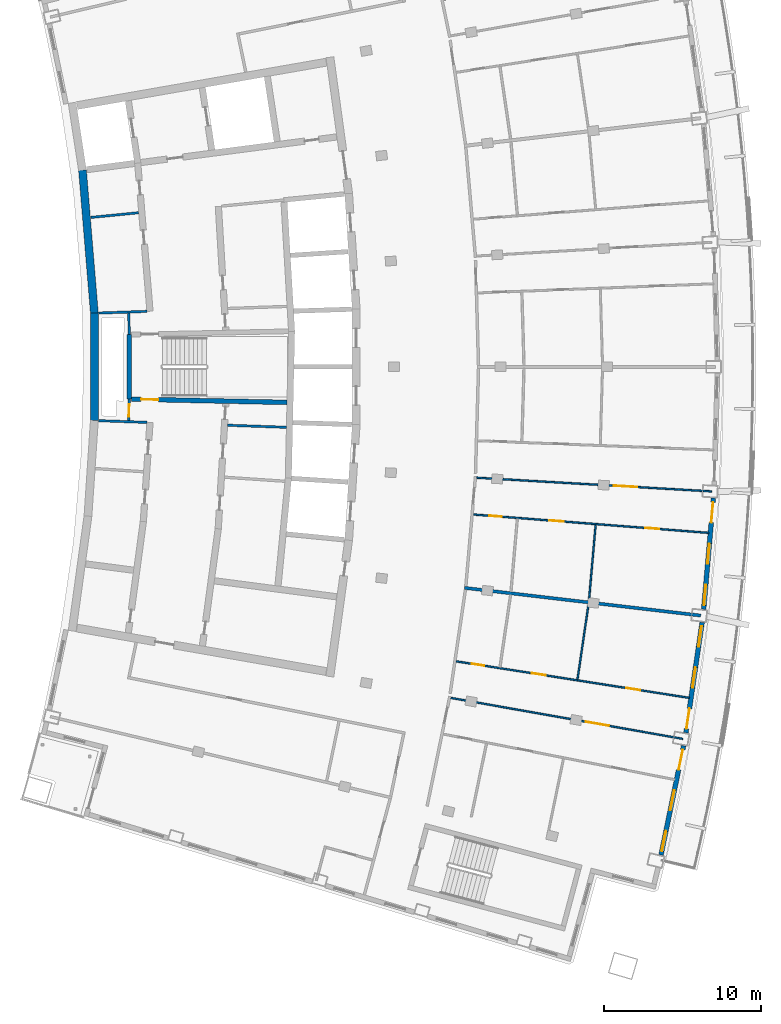
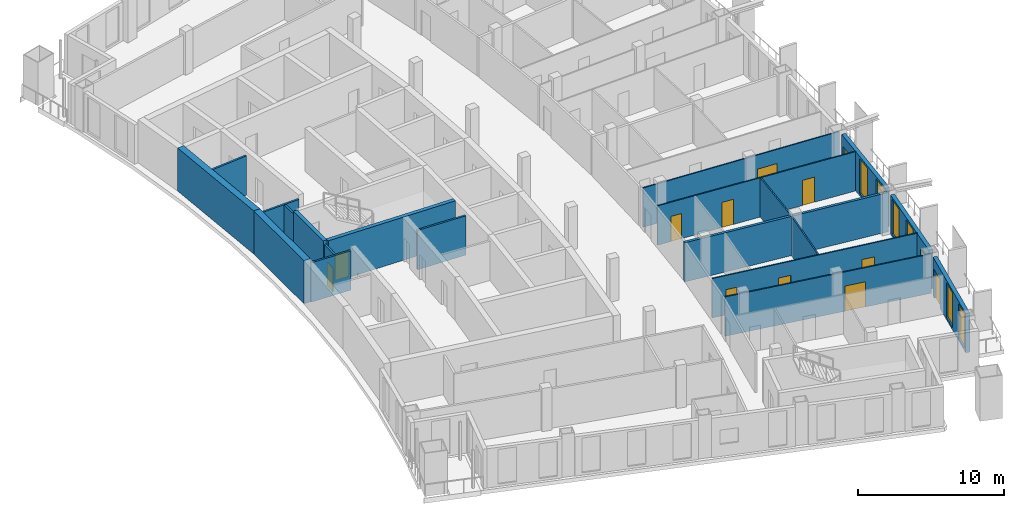
# One storey, part 9 of 17: 20 walls, 13 doors, 6 windows, 19 openings.
"""IFC4 building model written with IfcOpenShell, lengths in metres."""

from ifc_helpers import new_model, si_unit, direction, frame, frame_2d, origin, place, context, subcontext, project, spatial, rectangle, extrude, material, layer, layer_set, type_object, element, fill, save


model = new_model("IFC4")

# Units and contexts
model_context = context("Model", 3, precision=1e-05, world=origin(), true_north=direction((0.0, 1.0)))
body_context = subcontext(model_context, "Body", "Model", "MODEL_VIEW")
ifc_project = project(units=[si_unit("LENGTHUNIT", "METRE"), si_unit("AREAUNIT", "SQUARE_METRE"), si_unit("VOLUMEUNIT", "CUBIC_METRE"), si_unit("PLANEANGLEUNIT", "RADIAN"), si_unit("MASSUNIT", "GRAM", prefix="KILO")], contexts=[model_context])

# Site, building, storey
site_placement = place(None, origin())
site = spatial("IfcSite", under=ifc_project, at=site_placement, CompositionType="ELEMENT")
building_placement = place(site_placement, origin())
building = spatial("IfcBuilding", under=site, at=building_placement, Name="Alderwake Tower", CompositionType="ELEMENT")
storey_placement = place(building_placement, frame((0.0, 0.0, 270.800048828125)))
storey = spatial("IfcBuildingStorey", under=building, at=storey_placement, Name="L67", CompositionType="ELEMENT", Elevation=270.800048828125)

# Wall
ifc_material_1 = material(Name="Gypsum shaft wall system, rated")
ifc_layer_1 = layer(ifc_material_1, 0.14990234375)
ifc_layer_set_1 = layer_set([ifc_layer_1], Name="Core riser partition 150")
wall_type_1 = type_object("IfcWallType", Name="Core riser partition 150", PredefinedType="PARTITIONING", material=ifc_layer_set_1)
wall_1_placement = place(storey_placement, frame((25.1904296875, 57.276611328125, 0.0), z_axis=(0.0, 0.0, 1.0), x_axis=(0.99937350076, -0.035392173974, 0.0)))
element("IfcWall", 1, at=wall_1_placement, inside=storey, type_object=wall_type_1, Name="CW/L67/PR-37_+86", PredefinedType="PARTITIONING", context=body_context, shape_type="SweptSolid", body=[
    extrude(rectangle(XDim=3.752685546875, YDim=0.14990234375, at=frame_2d((1.87646484375, 0.0))), origin(), (0.0, 0.0, 1.0), 3.280029296875),
])

# Wall, opening, door
ifc_material_2 = material(Name="Gypsum shaft wall system, rated")
ifc_layer_2 = layer(ifc_material_2, 0.14990234375)
ifc_layer_set_2 = layer_set([ifc_layer_2], Name="Core room partition 150")
wall_type_2 = type_object("IfcWallType", Name="Core room partition 150", PredefinedType="PARTITIONING", material=ifc_layer_set_2)
wall_2_placement = place(storey_placement, frame((18.918701171875, 58.94384765625, 0.0), z_axis=(0.0, 0.0, 1.0), x_axis=(-0.027811602725, -0.999613182563, 0.0)))
wall_2 = element("IfcWall", 2, at=wall_2_placement, inside=storey, type_object=wall_type_2, Name="CW/L67/PA+24_-37", PredefinedType="PARTITIONING", context=body_context, shape_type="SweptSolid", body=[
    extrude(rectangle(XDim=1.369384765625, YDim=0.14990234375, at=frame_2d((0.6845703125, 0.0))), origin(), (0.0, 0.0, 1.0), 3.280029296875),
])
opening_1_placement = place(wall_2_placement, frame((0.322998046875, 0.0, 0.0)))
opening_1 = element("IfcOpeningElement", 3, at=opening_1_placement, cuts=wall_2, Name="Opening C004", PredefinedType="OPENING", context=body_context, shape_type="SweptSolid", body=[
    extrude(rectangle(XDim=0.800048828125, YDim=2.0, at=frame_2d((0.39990234375, 1.0))), frame((0.0, 0.0849609375, 0.0), z_axis=(0.0, -1.0, 0.0), x_axis=(1.0, 0.0, 0.0)), (0.0, 0.0, 1.0), 0.169921875),
])
ifc_material_3 = material(Name="Painted steel leaf, rated", Category="steel")
door_type_1 = type_object("IfcDoorType", Name="Riser access door 800", OperationType="SINGLE_SWING_LEFT", PredefinedType="DOOR", material=ifc_material_3)
door_1_placement = place(opening_1_placement, origin())
door_1 = element("IfcDoor", 4, at=door_1_placement, inside=storey, type_object=door_type_1, Name="Riser access door", OperationType="SINGLE_SWING_RIGHT", OverallHeight=2.0, OverallWidth=0.800048828125, PredefinedType="DOOR", context=body_context, shape_type="SweptSolid", body=[
    extrude(rectangle(XDim=0.800048828125, YDim=2.0, at=frame_2d((0.39990234375, 1.0))), frame((0.0, 0.02490234375, 0.0), z_axis=(0.0, -1.0, 0.0), x_axis=(1.0, 0.0, 0.0)), (0.0, 0.0, 1.0), 0.050048828125),
])
fill(opening_1, door_1)

# Walls
wall_3_placement = place(storey_placement, frame((18.918701171875, 63.05517578125, 0.0), z_axis=(0.0, 0.0, 1.0), x_axis=(-0.027791791559, 0.99961373356, 0.0)))
element("IfcWall", 5, at=wall_3_placement, inside=storey, type_object=wall_type_2, Name="CW/L67/PA+24_+22", PredefinedType="PARTITIONING", context=body_context, shape_type="SweptSolid", body=[
    extrude(rectangle(XDim=1.370361328125, YDim=0.14990234375, at=frame_2d((0.68505859375, 0.0))), origin(), (0.0, 0.0, 1.0), 3.280029296875),
])
for number, where, z_axis, x_axis, name in (
    (6, (16.969482421875, 57.5673828125, 0.0), (0.0, 0.0, 1.0), (0.999376258731, -0.035314210814, 0.0), "CW/L67/PR-37_+0"),
    (7, (16.969482421875, 64.4326171875, 0.0), (0.0, 0.0, 1.0), (0.999376258731, 0.035314210814, 0.0), "CW/L67/PR+37_+0"),
):
    element("IfcWall", number, at=place(storey_placement, frame(where, z_axis=z_axis, x_axis=x_axis)), inside=storey, type_object=wall_type_2, Name=name, PredefinedType="PARTITIONING", context=body_context, shape_type="SweptSolid", body=[
        extrude(rectangle(XDim=3.069580078125, YDim=0.14990234375, at=frame_2d((1.53466796875, 0.0))), origin(), (0.0, 0.0, 1.0), 3.280029296875),
    ])
wall_4_placement = place(storey_placement, frame((16.4638671875, 70.5322265625, 0.0), z_axis=(0.0, 0.0, 1.0), x_axis=(0.995153954228, 0.098329077004, 0.0)))
element("IfcWall", 8, at=wall_4_placement, inside=storey, type_object=wall_type_2, Name="CW/L67/PR+103_+0", PredefinedType="PARTITIONING", context=body_context, shape_type="SweptSolid", body=[
    extrude(rectangle(XDim=3.06640625, YDim=0.14990234375, at=frame_2d((1.533203125, 0.0))), origin(), (0.0, 0.0, 1.0), 3.280029296875),
])
ifc_material_4 = material(Name="Concrete C70/85", Category="concrete")
ifc_layer_3 = layer(ifc_material_4, 0.5)
ifc_layer_set_3 = layer_set([ifc_layer_3], Name="Core wall outer 500 C70-85")
wall_type_3 = type_object("IfcWallType", Name="Core wall outer 500 C70-85", PredefinedType="SHEAR", material=ifc_layer_set_3)
wall_5_placement = place(storey_placement, frame((16.689453125, 57.568603515625, 0.0), z_axis=(0.0, 0.0, 1.0), x_axis=(0.0, 1.0, 0.0)))
element("IfcWall", 9, at=wall_5_placement, inside=storey, type_object=wall_type_3, Name="Core wall CW.029", PredefinedType="SHEAR", context=body_context, shape_type="SweptSolid", body=[
    extrude(rectangle(XDim=6.86474609375, YDim=0.5, at=frame_2d((3.432373046875, 0.0))), origin(), (0.0, 0.0, 1.0), 3.599853515625),
])
wall_6_placement = place(storey_placement, frame((16.690185546875, 64.41162109375, 0.0), z_axis=(0.0, 0.0, 1.0), x_axis=(-0.082611702064, 0.996581811334, 0.0)))
element("IfcWall", 10, at=wall_6_placement, inside=storey, type_object=wall_type_3, Name="Core wall CW.026", PredefinedType="SHEAR", context=body_context, shape_type="SweptSolid", body=[
    extrude(rectangle(XDim=9.176025390625, YDim=0.5, at=frame_2d((4.587890625, 0.0))), origin(), (0.0, 0.0, 1.0), 3.599853515625),
])
ifc_material_5 = material(Name="Concrete C70/85", Category="concrete")
ifc_layer_4 = layer(ifc_material_5, 0.300048828125)
ifc_layer_set_4 = layer_set([ifc_layer_4], Name="Core wall stair enclosure 300 C70-85")
wall_type_4 = type_object("IfcWallType", Name="Core wall stair enclosure 300 C70-85", PredefinedType="SHEAR", material=ifc_layer_set_4)
wall_7_placement = place(storey_placement, frame((18.918701171875, 58.940673828125, 0.0), z_axis=(0.0, 0.0, 1.0), x_axis=(0.0, 1.0, 0.0)))
element("IfcWall", 11, at=wall_7_placement, inside=storey, type_object=wall_type_4, Name="Core wall CW.024", PredefinedType="SHEAR", context=body_context, shape_type="SweptSolid", body=[
    extrude(rectangle(XDim=4.11962890625, YDim=0.300048828125, at=frame_2d((2.059814453125, 0.0))), origin(), (0.0, 0.0, 1.0), 3.599853515625),
])

# Wall, opening, door
wall_8_placement = place(storey_placement, frame((28.975830078125, 58.733154296875, 0.0), z_axis=(0.0, 0.0, 1.0), x_axis=(-0.999783782948, 0.020793925895, 0.0)))
wall_8 = element("IfcWall", 12, at=wall_8_placement, inside=storey, type_object=wall_type_4, Name="Core wall CW.074", PredefinedType="SHEAR", context=body_context, shape_type="SweptSolid", body=[
    extrude(rectangle(XDim=9.909423828125, YDim=0.300048828125, at=frame_2d((4.95458984375, 0.0))), origin(), (0.0, 0.0, 1.0), 3.599853515625),
])
opening_2_placement = place(wall_8_placement, frame((8.20947265625, 0.0, 0.0)))
opening_2 = element("IfcOpeningElement", 13, at=opening_2_placement, cuts=wall_8, Name="Opening C063", PredefinedType="OPENING", context=body_context, shape_type="SweptSolid", body=[
    extrude(rectangle(XDim=1.10009765625, YDim=2.10009765625, at=frame_2d((0.550048828125, 1.050048828125))), frame((0.0, 0.159912109375, 0.0), z_axis=(0.0, -1.0, 0.0), x_axis=(1.0, 0.0, 0.0)), (0.0, 0.0, 1.0), 0.320068359375),
])
ifc_material_6 = material(Name="Steel-framed fire door leaf", Category="steel")
door_type_2 = type_object("IfcDoorType", Name="Core stair door 1100 fire-rated", OperationType="SINGLE_SWING_LEFT", PredefinedType="DOOR", material=ifc_material_6)
door_2_placement = place(opening_2_placement, origin())
door_2 = element("IfcDoor", 14, at=door_2_placement, inside=storey, type_object=door_type_2, Name="Stair door", OperationType="SINGLE_SWING_LEFT", OverallHeight=2.10009765625, OverallWidth=1.10009765625, PredefinedType="DOOR", context=body_context, shape_type="SweptSolid", body=[
    extrude(rectangle(XDim=1.10009765625, YDim=2.10009765625, at=frame_2d((0.550048828125, 1.050048828125))), frame((0.0, 0.02490234375, 0.0), z_axis=(0.0, -1.0, 0.0), x_axis=(1.0, 0.0, 0.0)), (0.0, 0.0, 1.0), 0.050048828125),
])
fill(opening_2, door_2)

# Wall, openings, door, windows
ifc_material_7 = material(Name="Precast concrete C50/60 spandrel panel", Category="concrete")
ifc_layer_5 = layer(ifc_material_7, 0.300048828125)
ifc_layer_set_5 = layer_set([ifc_layer_5], Name="External wall EW1 Precast concrete C50/60 spandrel")
wall_type_5 = type_object("IfcWallType", Name="External wall EW1 Precast concrete C50/60 spandrel", PredefinedType="SOLIDWALL", material=ifc_layer_set_5)
wall_9_placement = place(storey_placement, frame((52.837890625, 29.86279296875, 0.0), z_axis=(0.0, 0.0, 1.0), x_axis=(0.202756509143, 0.979229185635, 0.0)))
wall_9 = element("IfcWall", 15, at=wall_9_placement, inside=storey, type_object=wall_type_5, Name="External wall 12", PredefinedType="SOLIDWALL", context=body_context, shape_type="SweptSolid", body=[
    extrude(rectangle(XDim=7.114990234375, YDim=0.300048828125, at=frame_2d((3.5576171875, 0.0))), origin(), (0.0, 0.0, 1.0), 3.280029296875),
])
opening_3_placement = place(wall_9_placement, frame((0.259521484375, 0.0, 0.199951171875)))
opening_3 = element("IfcOpeningElement", 16, at=opening_3_placement, cuts=wall_9, Name="Opening W1", PredefinedType="OPENING", context=body_context, shape_type="SweptSolid", body=[
    extrude(rectangle(XDim=1.300048828125, YDim=2.89990234375, at=frame_2d((0.64990234375, 1.449951171875))), frame((0.0, 0.159912109375, 0.0), z_axis=(0.0, -1.0, 0.0), x_axis=(1.0, 0.0, 0.0)), (0.0, 0.0, 1.0), 0.320068359375),
])
opening_4_placement = place(wall_9_placement, frame((2.907470703125, 0.0, 0.199951171875)))
opening_4 = element("IfcOpeningElement", 17, at=opening_4_placement, cuts=wall_9, Name="Opening W1", PredefinedType="OPENING", context=body_context, shape_type="SweptSolid", body=[
    extrude(rectangle(XDim=1.300048828125, YDim=2.89990234375, at=frame_2d((0.64990234375, 1.449951171875))), frame((0.0, 0.159912109375, 0.0), z_axis=(0.0, -1.0, 0.0), x_axis=(1.0, 0.0, 0.0)), (0.0, 0.0, 1.0), 0.320068359375),
])
opening_5_placement = place(wall_9_placement, frame((5.555419921875, 0.0, 0.0)))
opening_5 = element("IfcOpeningElement", 18, at=opening_5_placement, cuts=wall_9, Name="Opening D02", PredefinedType="OPENING", context=body_context, shape_type="SweptSolid", body=[
    extrude(rectangle(XDim=1.300048828125, YDim=2.39990234375, at=frame_2d((0.64990234375, 1.199951171875))), frame((0.0, 0.159912109375, 0.0), z_axis=(0.0, -1.0, 0.0), x_axis=(1.0, 0.0, 0.0)), (0.0, 0.0, 1.0), 0.320068359375),
])
ifc_material_8 = material(Name="Bronze tinted glass in aluminium frame", Category="aluminium")
door_type_3 = type_object("IfcDoorType", Name="Balcony door BD sliding", OperationType="SLIDING_TO_LEFT", PredefinedType="DOOR", material=ifc_material_8)
door_3_placement = place(opening_5_placement, origin())
door_3 = element("IfcDoor", 19, at=door_3_placement, inside=storey, type_object=door_type_3, Name="Door D02", OperationType="SLIDING_TO_LEFT", OverallHeight=2.39990234375, OverallWidth=1.300048828125, PredefinedType="DOOR", context=body_context, shape_type="SweptSolid", body=[
    extrude(rectangle(XDim=1.300048828125, YDim=2.39990234375, at=frame_2d((0.64990234375, 1.199951171875))), frame((0.0, 0.02490234375, 0.0), z_axis=(0.0, -1.0, 0.0), x_axis=(1.0, 0.0, 0.0)), (0.0, 0.0, 1.0), 0.050048828125),
])
fill(opening_5, door_3)
ifc_material_9 = material(Name="Bronze tinted glass in aluminium frame", Category="aluminium")
window_type = type_object("IfcWindowType", Name="Window W1 tall fixed and vent", PartitioningType="DOUBLE_PANEL_VERTICAL", PredefinedType="WINDOW", material=ifc_material_9)
window_1_placement = place(opening_3_placement, origin())
window_1 = element("IfcWindow", 20, at=window_1_placement, inside=storey, type_object=window_type, Name="Window W1 tall fixed and vent", OverallHeight=2.89990234375, OverallWidth=1.300048828125, PartitioningType="DOUBLE_PANEL_VERTICAL", PredefinedType="WINDOW", context=body_context, shape_type="SweptSolid", body=[
    extrude(rectangle(XDim=1.300048828125, YDim=2.89990234375, at=frame_2d((0.64990234375, 1.449951171875))), frame((0.0, 0.030029296875, 0.0), z_axis=(0.0, -1.0, 0.0), x_axis=(1.0, 0.0, 0.0)), (0.0, 0.0, 1.0), 0.06005859375),
])
fill(opening_3, window_1)
window_2_placement = place(opening_4_placement, origin())
window_2 = element("IfcWindow", 21, at=window_2_placement, inside=storey, type_object=window_type, Name="Window W1 tall fixed and vent", OverallHeight=2.89990234375, OverallWidth=1.300048828125, PartitioningType="DOUBLE_PANEL_VERTICAL", PredefinedType="WINDOW", context=body_context, shape_type="SweptSolid", body=[
    extrude(rectangle(XDim=1.300048828125, YDim=2.89990234375, at=frame_2d((0.64990234375, 1.449951171875))), frame((0.0, 0.030029296875, 0.0), z_axis=(0.0, -1.0, 0.0), x_axis=(1.0, 0.0, 0.0)), (0.0, 0.0, 1.0), 0.06005859375),
])
fill(opening_4, window_2)

wall_10_placement = place(storey_placement, frame((54.42724609375, 37.66015625, 0.0), z_axis=(0.0, 0.0, 1.0), x_axis=(0.145316175734, 0.98938526827, 0.0)))
wall_10 = element("IfcWall", 22, at=wall_10_placement, inside=storey, type_object=wall_type_5, Name="External wall 13", PredefinedType="SOLIDWALL", context=body_context, shape_type="SweptSolid", body=[
    extrude(rectangle(XDim=7.114990234375, YDim=0.300048828125, at=frame_2d((3.5576171875, 0.0))), origin(), (0.0, 0.0, 1.0), 3.280029296875),
])
opening_6_placement = place(wall_10_placement, frame((0.259521484375, 0.0, 0.0)))
opening_6 = element("IfcOpeningElement", 23, at=opening_6_placement, cuts=wall_10, Name="Opening D03", PredefinedType="OPENING", context=body_context, shape_type="SweptSolid", body=[
    extrude(rectangle(XDim=1.300048828125, YDim=2.39990234375, at=frame_2d((0.64990234375, 1.199951171875))), frame((0.0, 0.159912109375, 0.0), z_axis=(0.0, -1.0, 0.0), x_axis=(1.0, 0.0, 0.0)), (0.0, 0.0, 1.0), 0.320068359375),
])
opening_7_placement = place(wall_10_placement, frame((2.907470703125, 0.0, 0.199951171875)))
opening_7 = element("IfcOpeningElement", 24, at=opening_7_placement, cuts=wall_10, Name="Opening W1", PredefinedType="OPENING", context=body_context, shape_type="SweptSolid", body=[
    extrude(rectangle(XDim=1.300048828125, YDim=2.89990234375, at=frame_2d((0.64990234375, 1.449951171875))), frame((0.0, 0.159912109375, 0.0), z_axis=(0.0, -1.0, 0.0), x_axis=(1.0, 0.0, 0.0)), (0.0, 0.0, 1.0), 0.320068359375),
])
opening_8_placement = place(wall_10_placement, frame((5.555419921875, 0.0, 0.199951171875)))
opening_8 = element("IfcOpeningElement", 25, at=opening_8_placement, cuts=wall_10, Name="Opening W1", PredefinedType="OPENING", context=body_context, shape_type="SweptSolid", body=[
    extrude(rectangle(XDim=1.300048828125, YDim=2.89990234375, at=frame_2d((0.64990234375, 1.449951171875))), frame((0.0, 0.159912109375, 0.0), z_axis=(0.0, -1.0, 0.0), x_axis=(1.0, 0.0, 0.0)), (0.0, 0.0, 1.0), 0.320068359375),
])
door_4_placement = place(opening_6_placement, origin())
door_4 = element("IfcDoor", 26, at=door_4_placement, inside=storey, type_object=door_type_3, Name="Door D03", OperationType="SLIDING_TO_LEFT", OverallHeight=2.39990234375, OverallWidth=1.300048828125, PredefinedType="DOOR", context=body_context, shape_type="SweptSolid", body=[
    extrude(rectangle(XDim=1.300048828125, YDim=2.39990234375, at=frame_2d((0.64990234375, 1.199951171875))), frame((0.0, 0.02490234375, 0.0), z_axis=(0.0, -1.0, 0.0), x_axis=(1.0, 0.0, 0.0)), (0.0, 0.0, 1.0), 0.050048828125),
])
fill(opening_6, door_4)
window_3_placement = place(opening_7_placement, origin())
window_3 = element("IfcWindow", 27, at=window_3_placement, inside=storey, type_object=window_type, Name="Window W1 tall fixed and vent", OverallHeight=2.89990234375, OverallWidth=1.300048828125, PartitioningType="DOUBLE_PANEL_VERTICAL", PredefinedType="WINDOW", context=body_context, shape_type="SweptSolid", body=[
    extrude(rectangle(XDim=1.300048828125, YDim=2.89990234375, at=frame_2d((0.64990234375, 1.449951171875))), frame((0.0, 0.030029296875, 0.0), z_axis=(0.0, -1.0, 0.0), x_axis=(1.0, 0.0, 0.0)), (0.0, 0.0, 1.0), 0.06005859375),
])
fill(opening_7, window_3)
window_4_placement = place(opening_8_placement, origin())
window_4 = element("IfcWindow", 28, at=window_4_placement, inside=storey, type_object=window_type, Name="Window W1 tall fixed and vent", OverallHeight=2.89990234375, OverallWidth=1.300048828125, PartitioningType="DOUBLE_PANEL_VERTICAL", PredefinedType="WINDOW", context=body_context, shape_type="SweptSolid", body=[
    extrude(rectangle(XDim=1.300048828125, YDim=2.89990234375, at=frame_2d((0.64990234375, 1.449951171875))), frame((0.0, 0.030029296875, 0.0), z_axis=(0.0, -1.0, 0.0), x_axis=(1.0, 0.0, 0.0)), (0.0, 0.0, 1.0), 0.06005859375),
])
fill(opening_8, window_4)

wall_11_placement = place(storey_placement, frame((55.559326171875, 45.537109375, 0.0), z_axis=(0.0, 0.0, 1.0), x_axis=(0.08736403326, 0.996176453091, 0.0)))
wall_11 = element("IfcWall", 29, at=wall_11_placement, inside=storey, type_object=wall_type_5, Name="External wall 14", PredefinedType="SOLIDWALL", context=body_context, shape_type="SweptSolid", body=[
    extrude(rectangle(XDim=7.11474609375, YDim=0.300048828125, at=frame_2d((3.557373046875, 0.0))), origin(), (0.0, 0.0, 1.0), 3.280029296875),
])
opening_9_placement = place(wall_11_placement, frame((0.259521484375, 0.0, 0.199951171875)))
opening_9 = element("IfcOpeningElement", 30, at=opening_9_placement, cuts=wall_11, Name="Opening W1", PredefinedType="OPENING", context=body_context, shape_type="SweptSolid", body=[
    extrude(rectangle(XDim=1.300048828125, YDim=2.89990234375, at=frame_2d((0.64990234375, 1.449951171875))), frame((0.0, 0.159912109375, 0.0), z_axis=(0.0, -1.0, 0.0), x_axis=(1.0, 0.0, 0.0)), (0.0, 0.0, 1.0), 0.320068359375),
])
opening_10_placement = place(wall_11_placement, frame((2.907470703125, 0.0, 0.199951171875)))
opening_10 = element("IfcOpeningElement", 31, at=opening_10_placement, cuts=wall_11, Name="Opening W1", PredefinedType="OPENING", context=body_context, shape_type="SweptSolid", body=[
    extrude(rectangle(XDim=1.300048828125, YDim=2.89990234375, at=frame_2d((0.64990234375, 1.449951171875))), frame((0.0, 0.159912109375, 0.0), z_axis=(0.0, -1.0, 0.0), x_axis=(1.0, 0.0, 0.0)), (0.0, 0.0, 1.0), 0.320068359375),
])
opening_11_placement = place(wall_11_placement, frame((5.555419921875, 0.0, 0.0)))
opening_11 = element("IfcOpeningElement", 32, at=opening_11_placement, cuts=wall_11, Name="Opening D04", PredefinedType="OPENING", context=body_context, shape_type="SweptSolid", body=[
    extrude(rectangle(XDim=1.300048828125, YDim=2.39990234375, at=frame_2d((0.64990234375, 1.199951171875))), frame((0.0, 0.159912109375, 0.0), z_axis=(0.0, -1.0, 0.0), x_axis=(1.0, 0.0, 0.0)), (0.0, 0.0, 1.0), 0.320068359375),
])
door_5_placement = place(opening_11_placement, origin())
door_5 = element("IfcDoor", 33, at=door_5_placement, inside=storey, type_object=door_type_3, Name="Door D04", OperationType="SLIDING_TO_LEFT", OverallHeight=2.39990234375, OverallWidth=1.300048828125, PredefinedType="DOOR", context=body_context, shape_type="SweptSolid", body=[
    extrude(rectangle(XDim=1.300048828125, YDim=2.39990234375, at=frame_2d((0.64990234375, 1.199951171875))), frame((0.0, 0.02490234375, 0.0), z_axis=(0.0, -1.0, 0.0), x_axis=(1.0, 0.0, 0.0)), (0.0, 0.0, 1.0), 0.050048828125),
])
fill(opening_11, door_5)
window_5_placement = place(opening_9_placement, origin())
window_5 = element("IfcWindow", 34, at=window_5_placement, inside=storey, type_object=window_type, Name="Window W1 tall fixed and vent", OverallHeight=2.89990234375, OverallWidth=1.300048828125, PartitioningType="DOUBLE_PANEL_VERTICAL", PredefinedType="WINDOW", context=body_context, shape_type="SweptSolid", body=[
    extrude(rectangle(XDim=1.300048828125, YDim=2.89990234375, at=frame_2d((0.64990234375, 1.449951171875))), frame((0.0, 0.030029296875, 0.0), z_axis=(0.0, -1.0, 0.0), x_axis=(1.0, 0.0, 0.0)), (0.0, 0.0, 1.0), 0.06005859375),
])
fill(opening_9, window_5)
window_6_placement = place(opening_10_placement, origin())
window_6 = element("IfcWindow", 35, at=window_6_placement, inside=storey, type_object=window_type, Name="Window W1 tall fixed and vent", OverallHeight=2.89990234375, OverallWidth=1.300048828125, PartitioningType="DOUBLE_PANEL_VERTICAL", PredefinedType="WINDOW", context=body_context, shape_type="SweptSolid", body=[
    extrude(rectangle(XDim=1.300048828125, YDim=2.89990234375, at=frame_2d((0.64990234375, 1.449951171875))), frame((0.0, 0.030029296875, 0.0), z_axis=(0.0, -1.0, 0.0), x_axis=(1.0, 0.0, 0.0)), (0.0, 0.0, 1.0), 0.06005859375),
])
fill(opening_10, window_6)

# Wall
ifc_material_10 = material(Name="Dense block masonry wall", Category="masonry")
ifc_layer_6 = layer(ifc_material_10, 0.199951171875)
ifc_layer_set_6 = layer_set([ifc_layer_6], Name="Party wall 200")
wall_type_6 = type_object("IfcWallType", Name="Party wall 200", PredefinedType="SOLIDWALL", material=ifc_layer_set_6)
wall_12_placement = place(storey_placement, frame((55.3740234375, 45.135009765625, 0.0), z_axis=(0.0, 0.0, 1.0), x_axis=(-0.993199152778, 0.116427844266, 0.0)))
element("IfcWall", 36, at=wall_12_placement, inside=storey, type_object=wall_type_6, Name="WL/L67/W01", PredefinedType="SOLIDWALL", context=body_context, shape_type="SweptSolid", body=[
    extrude(rectangle(XDim=15.1796875, YDim=0.199951171875, at=frame_2d((7.58984375, 0.0))), origin(), (0.0, 0.0, 1.0), 3.280029296875),
])

# Wall, openings, doors
ifc_material_11 = material(Name="Gypsum board on metal studs")
ifc_layer_7 = layer(ifc_material_11, 0.10009765625)
ifc_layer_set_7 = layer_set([ifc_layer_7], Name="Unit partition 100")
wall_type_7 = type_object("IfcWallType", Name="Unit partition 100", PredefinedType="PARTITIONING", material=ifc_layer_set_7)
wall_13_placement = place(storey_placement, frame((39.76904296875, 42.215576171875, 0.0), z_axis=(0.0, 0.0, 1.0), x_axis=(0.987928768537, -0.154908838665, 0.0)))
wall_13 = element("IfcWall", 37, at=wall_13_placement, inside=storey, type_object=wall_type_7, Name="WL/L67/W40", PredefinedType="PARTITIONING", context=body_context, shape_type="SweptSolid", body=[
    extrude(rectangle(XDim=15.063720703125, YDim=0.10009765625, at=frame_2d((7.53173828125, 0.0))), origin(), (0.0, 0.0, 1.0), 3.280029296875),
])
opening_12_placement = place(wall_13_placement, frame((4.8740234375, 0.0, 0.0)))
opening_12 = element("IfcOpeningElement", 38, at=opening_12_placement, cuts=wall_13, Name="Opening R19-U03.5", PredefinedType="OPENING", context=body_context, shape_type="SweptSolid", body=[
    extrude(rectangle(XDim=0.89990234375, YDim=2.10009765625, at=frame_2d((0.449951171875, 1.050048828125))), frame((0.0, 0.06005859375, 0.0), z_axis=(0.0, -1.0, 0.0), x_axis=(1.0, 0.0, 0.0)), (0.0, 0.0, 1.0), 0.1201171875),
])
opening_13_placement = place(wall_13_placement, frame((1.010009765625, 0.0, 0.0)))
opening_13 = element("IfcOpeningElement", 39, at=opening_13_placement, cuts=wall_13, Name="Opening R19-U03.6", PredefinedType="OPENING", context=body_context, shape_type="SweptSolid", body=[
    extrude(rectangle(XDim=0.800048828125, YDim=2.10009765625, at=frame_2d((0.39990234375, 1.050048828125))), frame((0.0, 0.06005859375, 0.0), z_axis=(0.0, -1.0, 0.0), x_axis=(1.0, 0.0, 0.0)), (0.0, 0.0, 1.0), 0.1201171875),
])
opening_14_placement = place(wall_13_placement, frame((10.995849609375, 0.0, 0.0)))
opening_14 = element("IfcOpeningElement", 40, at=opening_14_placement, cuts=wall_13, Name="Opening R19-U03.7", PredefinedType="OPENING", context=body_context, shape_type="SweptSolid", body=[
    extrude(rectangle(XDim=0.89990234375, YDim=2.10009765625, at=frame_2d((0.449951171875, 1.050048828125))), frame((0.0, 0.06005859375, 0.0), z_axis=(0.0, -1.0, 0.0), x_axis=(1.0, 0.0, 0.0)), (0.0, 0.0, 1.0), 0.1201171875),
])
ifc_material_12 = material(Name="Painted timber leaf", Category="wood")
door_type_4 = type_object("IfcDoorType", Name="Bathroom door 800", OperationType="SINGLE_SWING_LEFT", PredefinedType="DOOR", material=ifc_material_12)
door_6_placement = place(opening_13_placement, origin())
door_6 = element("IfcDoor", 41, at=door_6_placement, inside=storey, type_object=door_type_4, Name="DR/L67/U03.6", OperationType="SINGLE_SWING_LEFT", OverallHeight=2.10009765625, OverallWidth=0.800048828125, PredefinedType="DOOR", context=body_context, shape_type="SweptSolid", body=[
    extrude(rectangle(XDim=0.800048828125, YDim=2.10009765625, at=frame_2d((0.39990234375, 1.050048828125))), frame((0.0, 0.02490234375, 0.0), z_axis=(0.0, -1.0, 0.0), x_axis=(1.0, 0.0, 0.0)), (0.0, 0.0, 1.0), 0.050048828125),
])
fill(opening_13, door_6)
ifc_material_13 = material(Name="Painted timber leaf", Category="wood")
door_type_5 = type_object("IfcDoorType", Name="Room door 900", OperationType="SINGLE_SWING_LEFT", PredefinedType="DOOR", material=ifc_material_13)
door_7_placement = place(opening_12_placement, origin())
door_7 = element("IfcDoor", 42, at=door_7_placement, inside=storey, type_object=door_type_5, Name="DR/L67/U03.5", OperationType="SINGLE_SWING_LEFT", OverallHeight=2.10009765625, OverallWidth=0.89990234375, PredefinedType="DOOR", context=body_context, shape_type="SweptSolid", body=[
    extrude(rectangle(XDim=0.89990234375, YDim=2.10009765625, at=frame_2d((0.449951171875, 1.050048828125))), frame((0.0, 0.02490234375, 0.0), z_axis=(0.0, -1.0, 0.0), x_axis=(1.0, 0.0, 0.0)), (0.0, 0.0, 1.0), 0.050048828125),
])
fill(opening_12, door_7)
door_8_placement = place(opening_14_placement, origin())
door_8 = element("IfcDoor", 43, at=door_8_placement, inside=storey, type_object=door_type_5, Name="DR/L67/U03.7", OperationType="SINGLE_SWING_LEFT", OverallHeight=2.10009765625, OverallWidth=0.89990234375, PredefinedType="DOOR", context=body_context, shape_type="SweptSolid", body=[
    extrude(rectangle(XDim=0.89990234375, YDim=2.10009765625, at=frame_2d((0.449951171875, 1.050048828125))), frame((0.0, 0.02490234375, 0.0), z_axis=(0.0, -1.0, 0.0), x_axis=(1.0, 0.0, 0.0)), (0.0, 0.0, 1.0), 0.050048828125),
])
fill(opening_14, door_8)

wall_14_placement = place(storey_placement, frame((55.884033203125, 50.408935546875, 0.0), z_axis=(0.0, 0.0, 1.0), x_axis=(-0.996963596503, 0.077869039079, 0.0)))
wall_14 = element("IfcWall", 44, at=wall_14_placement, inside=storey, type_object=wall_type_7, Name="WL/L67/W42", PredefinedType="PARTITIONING", context=body_context, shape_type="SweptSolid", body=[
    extrude(rectangle(XDim=15.061767578125, YDim=0.10009765625, at=frame_2d((7.53076171875, 0.0))), origin(), (0.0, 0.0, 1.0), 3.280029296875),
])
opening_15_placement = place(wall_14_placement, frame((9.2890625, 0.0, 0.0)))
opening_15 = element("IfcOpeningElement", 45, at=opening_15_placement, cuts=wall_14, Name="Opening R19-U04.1", PredefinedType="OPENING", context=body_context, shape_type="SweptSolid", body=[
    extrude(rectangle(XDim=0.89990234375, YDim=2.10009765625, at=frame_2d((0.449951171875, 1.050048828125))), frame((0.0, 0.06005859375, 0.0), z_axis=(0.0, -1.0, 0.0), x_axis=(1.0, 0.0, 0.0)), (0.0, 0.0, 1.0), 0.1201171875),
])
opening_16_placement = place(wall_14_placement, frame((13.25244140625, 0.0, 0.0)))
opening_16 = element("IfcOpeningElement", 46, at=opening_16_placement, cuts=wall_14, Name="Opening R19-U04.3", PredefinedType="OPENING", context=body_context, shape_type="SweptSolid", body=[
    extrude(rectangle(XDim=0.800048828125, YDim=2.10009765625, at=frame_2d((0.39990234375, 1.050048828125))), frame((0.0, 0.06005859375, 0.0), z_axis=(0.0, -1.0, 0.0), x_axis=(1.0, 0.0, 0.0)), (0.0, 0.0, 1.0), 0.1201171875),
])
opening_17_placement = place(wall_14_placement, frame((3.16748046875, 0.0, 0.0)))
opening_17 = element("IfcOpeningElement", 47, at=opening_17_placement, cuts=wall_14, Name="Opening R19-U04.4", PredefinedType="OPENING", context=body_context, shape_type="SweptSolid", body=[
    extrude(rectangle(XDim=0.89990234375, YDim=2.10009765625, at=frame_2d((0.449951171875, 1.050048828125))), frame((0.0, 0.06005859375, 0.0), z_axis=(0.0, -1.0, 0.0), x_axis=(1.0, 0.0, 0.0)), (0.0, 0.0, 1.0), 0.1201171875),
])
door_9_placement = place(opening_16_placement, origin())
door_9 = element("IfcDoor", 48, at=door_9_placement, inside=storey, type_object=door_type_4, Name="DR/L67/U04.3", OperationType="SINGLE_SWING_LEFT", OverallHeight=2.10009765625, OverallWidth=0.800048828125, PredefinedType="DOOR", context=body_context, shape_type="SweptSolid", body=[
    extrude(rectangle(XDim=0.800048828125, YDim=2.10009765625, at=frame_2d((0.39990234375, 1.050048828125))), frame((0.0, 0.02490234375, 0.0), z_axis=(0.0, -1.0, 0.0), x_axis=(1.0, 0.0, 0.0)), (0.0, 0.0, 1.0), 0.050048828125),
])
fill(opening_16, door_9)
door_10_placement = place(opening_15_placement, origin())
door_10 = element("IfcDoor", 49, at=door_10_placement, inside=storey, type_object=door_type_5, Name="DR/L67/U04.1", OperationType="SINGLE_SWING_LEFT", OverallHeight=2.10009765625, OverallWidth=0.89990234375, PredefinedType="DOOR", context=body_context, shape_type="SweptSolid", body=[
    extrude(rectangle(XDim=0.89990234375, YDim=2.10009765625, at=frame_2d((0.449951171875, 1.050048828125))), frame((0.0, 0.02490234375, 0.0), z_axis=(0.0, -1.0, 0.0), x_axis=(1.0, 0.0, 0.0)), (0.0, 0.0, 1.0), 0.050048828125),
])
fill(opening_15, door_10)
door_11_placement = place(opening_17_placement, origin())
door_11 = element("IfcDoor", 50, at=door_11_placement, inside=storey, type_object=door_type_5, Name="DR/L67/U04.4", OperationType="SINGLE_SWING_LEFT", OverallHeight=2.10009765625, OverallWidth=0.89990234375, PredefinedType="DOOR", context=body_context, shape_type="SweptSolid", body=[
    extrude(rectangle(XDim=0.89990234375, YDim=2.10009765625, at=frame_2d((0.449951171875, 1.050048828125))), frame((0.0, 0.02490234375, 0.0), z_axis=(0.0, -1.0, 0.0), x_axis=(1.0, 0.0, 0.0)), (0.0, 0.0, 1.0), 0.050048828125),
])
fill(opening_17, door_11)

# Walls
wall_15_placement = place(storey_placement, frame((47.50927734375, 41.053466796875, 0.0), z_axis=(0.0, 0.0, 1.0), x_axis=(0.14519530572, 0.989403013537, 0.0)))
element("IfcWall", 51, at=wall_15_placement, inside=storey, type_object=wall_type_7, Name="WL/L67/W48", PredefinedType="PARTITIONING", context=body_context, shape_type="SweptSolid", body=[
    extrude(rectangle(XDim=4.87109375, YDim=0.10009765625, at=frame_2d((2.435546875, 0.0))), origin(), (0.0, 0.0, 1.0), 3.280029296875),
])
wall_16_placement = place(storey_placement, frame((48.23974609375, 46.07177734375, 0.0), z_axis=(0.0, 0.0, 1.0), x_axis=(0.087827973978, 0.99613565692, 0.0)))
element("IfcWall", 52, at=wall_16_placement, inside=storey, type_object=wall_type_7, Name="WL/L67/W49", PredefinedType="PARTITIONING", context=body_context, shape_type="SweptSolid", body=[
    extrude(rectangle(XDim=4.8701171875, YDim=0.10009765625, at=frame_2d((2.43505859375, 0.0))), origin(), (0.0, 0.0, 1.0), 3.280029296875),
])

# Wall, opening, door
wall_17_placement = place(storey_placement, frame((39.4267578125, 39.883056640625, 0.0), z_axis=(0.0, 0.0, 1.0), x_axis=(0.984742299106, -0.174018976985, 0.0)))
wall_17 = element("IfcWall", 53, at=wall_17_placement, inside=storey, type_object=wall_type_7, Name="WL/L67/W54", PredefinedType="PARTITIONING", context=body_context, shape_type="SweptSolid", body=[
    extrude(rectangle(XDim=15.021484375, YDim=0.10009765625, at=frame_2d((7.5107421875, 0.0))), origin(), (0.0, 0.0, 1.0), 3.280029296875),
])
opening_18_placement = place(wall_17_placement, frame((8.75244140625, 0.0, 0.0)))
opening_18 = element("IfcOpeningElement", 54, at=opening_18_placement, cuts=wall_17, Name="Opening R19-U03.8", PredefinedType="OPENING", context=body_context, shape_type="SweptSolid", body=[
    extrude(rectangle(XDim=1.5, YDim=2.10009765625, at=frame_2d((0.75, 1.050048828125))), frame((0.0, 0.06005859375, 0.0), z_axis=(0.0, -1.0, 0.0), x_axis=(1.0, 0.0, 0.0)), (0.0, 0.0, 1.0), 0.1201171875),
])
ifc_material_14 = material(Name="Painted timber leaves", Category="wood")
door_type_6 = type_object("IfcDoorType", Name="Double leaf door 1500", OperationType="DOUBLE_DOOR_SINGLE_SWING", PredefinedType="DOOR", material=ifc_material_14)
door_12_placement = place(opening_18_placement, origin())
door_12 = element("IfcDoor", 55, at=door_12_placement, inside=storey, type_object=door_type_6, Name="DR/L67/U03.8", OperationType="DOUBLE_DOOR_SINGLE_SWING", OverallHeight=2.10009765625, OverallWidth=1.5, PredefinedType="DOOR", context=body_context, shape_type="SweptSolid", body=[
    extrude(rectangle(XDim=1.5, YDim=2.10009765625, at=frame_2d((0.75, 1.050048828125))), frame((0.0, 0.02490234375, 0.0), z_axis=(0.0, -1.0, 0.0), x_axis=(1.0, 0.0, 0.0)), (0.0, 0.0, 1.0), 0.050048828125),
])
fill(opening_18, door_12)

wall_18_placement = place(storey_placement, frame((41.074951171875, 53.92919921875, 0.0), z_axis=(0.0, 0.0, 1.0), x_axis=(0.998303956772, -0.058216921022, 0.0)))
wall_18 = element("IfcWall", 56, at=wall_18_placement, inside=storey, type_object=wall_type_7, Name="WL/L67/W56", PredefinedType="PARTITIONING", context=body_context, shape_type="SweptSolid", body=[
    extrude(rectangle(XDim=15.017333984375, YDim=0.10009765625, at=frame_2d((7.5087890625, 0.0))), origin(), (0.0, 0.0, 1.0), 3.280029296875),
])
opening_19_placement = place(wall_18_placement, frame((8.75048828125, 0.0, 0.0)))
opening_19 = element("IfcOpeningElement", 57, at=opening_19_placement, cuts=wall_18, Name="Opening R19-U04.8", PredefinedType="OPENING", context=body_context, shape_type="SweptSolid", body=[
    extrude(rectangle(XDim=1.5, YDim=2.10009765625, at=frame_2d((0.75, 1.050048828125))), frame((0.0, 0.06005859375, 0.0), z_axis=(0.0, -1.0, 0.0), x_axis=(1.0, 0.0, 0.0)), (0.0, 0.0, 1.0), 0.1201171875),
])
door_13_placement = place(opening_19_placement, origin())
door_13 = element("IfcDoor", 58, at=door_13_placement, inside=storey, type_object=door_type_6, Name="DR/L67/U04.8", OperationType="DOUBLE_DOOR_SINGLE_SWING", OverallHeight=2.10009765625, OverallWidth=1.5, PredefinedType="DOOR", context=body_context, shape_type="SweptSolid", body=[
    extrude(rectangle(XDim=1.5, YDim=2.10009765625, at=frame_2d((0.75, 1.050048828125))), frame((0.0, 0.02490234375, 0.0), z_axis=(0.0, -1.0, 0.0), x_axis=(1.0, 0.0, 0.0)), (0.0, 0.0, 1.0), 0.050048828125),
])
fill(opening_19, door_13)

save(model, "model.ifc")
